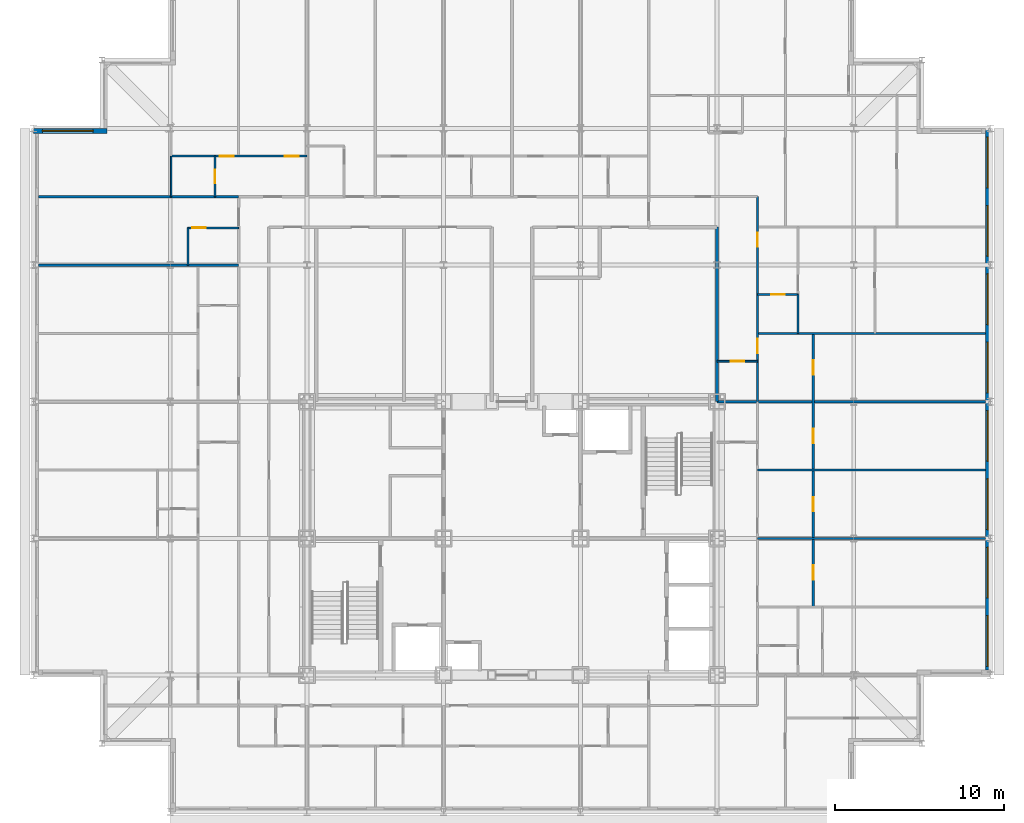
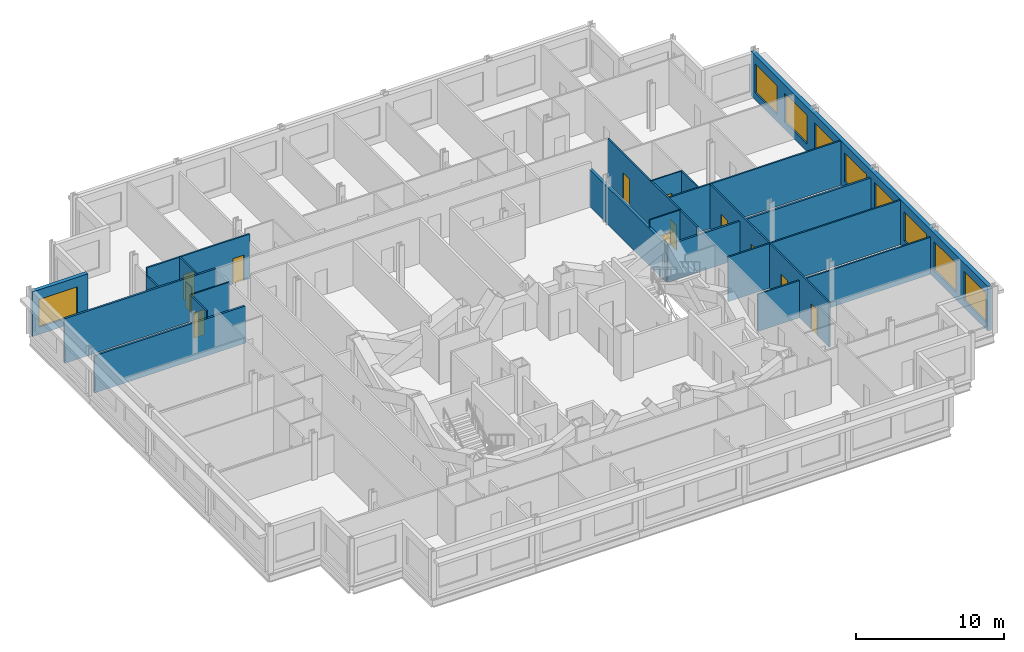
# One storey, part 11 of 15: 19 walls, 12 doors, 9 windows, 21 openings.
"""IFC4 building model written with IfcOpenShell, lengths in metres."""

from ifc_helpers import new_model, si_unit, direction, frame, frame_2d, origin, place, context, subcontext, project, spatial, rectangle, extrude, material, layer, layer_set, type_object, element, fill, save


model = new_model("IFC4")

# Units and contexts
model_context = context("Model", 3, precision=1e-05, world=origin(), true_north=direction((0.0, 1.0)))
body_context = subcontext(model_context, "Body", "Model", "MODEL_VIEW")
ifc_project = project(units=[si_unit("LENGTHUNIT", "METRE"), si_unit("AREAUNIT", "SQUARE_METRE"), si_unit("VOLUMEUNIT", "CUBIC_METRE"), si_unit("PLANEANGLEUNIT", "RADIAN"), si_unit("MASSUNIT", "GRAM", prefix="KILO")], contexts=[model_context])

# Site, building, storey
site_placement = place(None, origin())
site = spatial("IfcSite", under=ifc_project, at=site_placement, CompositionType="ELEMENT")
building_placement = place(site_placement, origin())
building = spatial("IfcBuilding", under=site, at=building_placement, Name="Kopane Lantern Tower", CompositionType="ELEMENT")
storey_placement = place(building_placement, frame((0.0, 0.0, 269.699951171875)))
storey = spatial("IfcBuildingStorey", under=building, at=storey_placement, Name="L69", CompositionType="ELEMENT", Elevation=269.699951171875)

# Wall, openings, doors
ifc_material_1 = material(Name="Gypsum board on steel studs", Category="steel")
ifc_layer_1 = layer(ifc_material_1, 0.1201171875)
ifc_layer_set_1 = layer_set([ifc_layer_1], Name="APARTMENT INTERNAL WALL 120")
wall_type_1 = type_object("IfcWallType", Name="APARTMENT INTERNAL WALL 120", PredefinedType="PARTITIONING", material=ifc_layer_set_1)
wall_1_placement = place(storey_placement, frame((8.14990234375, 55.050048828125, 0.0), z_axis=(0.0, 0.0, 1.0), x_axis=(1.0, 0.0, 0.0)))
wall_1 = element("IfcWall", 1, at=wall_1_placement, inside=storey, type_object=wall_type_1, Name="Apartment Internal Wall 120 L69", PredefinedType="PARTITIONING", context=body_context, shape_type="SweptSolid", body=[
    extrude(rectangle(XDim=8.050048828125, YDim=0.1201171875, at=frame_2d((4.02490234375, 0.0))), origin(), (0.0, 0.0, 1.0), 3.68994140625),
])
opening_1_placement = place(wall_1_placement, frame((6.72509765625, 0.0, 0.0)))
opening_1 = element("IfcOpeningElement", 2, at=opening_1_placement, cuts=wall_1, Name="Opening L69-042", PredefinedType="OPENING", context=body_context, shape_type="SweptSolid", body=[
    extrude(rectangle(XDim=0.85009765625, YDim=2.10009765625, at=frame_2d((0.425048828125, 1.050048828125))), frame((0.0, 0.070068359375, 0.0), z_axis=(0.0, -1.0, 0.0), x_axis=(1.0, 0.0, 0.0)), (0.0, 0.0, 1.0), 0.14013671875),
])
opening_2_placement = place(wall_1_placement, frame((2.875, 0.0, 0.0)))
opening_2 = element("IfcOpeningElement", 3, at=opening_2_placement, cuts=wall_1, Name="Opening L69-044", PredefinedType="OPENING", context=body_context, shape_type="SweptSolid", body=[
    extrude(rectangle(XDim=0.85009765625, YDim=2.10009765625, at=frame_2d((0.425048828125, 1.050048828125))), frame((0.0, 0.070068359375, 0.0), z_axis=(0.0, -1.0, 0.0), x_axis=(1.0, 0.0, 0.0)), (0.0, 0.0, 1.0), 0.14013671875),
])
ifc_material_2 = material(Name="Timber door set", Category="wood")
door_type_1 = type_object("IfcDoorType", Name="DOOR D4 850x2100", OperationType="SINGLE_SWING_LEFT", PredefinedType="DOOR", material=ifc_material_2)
door_1_placement = place(opening_1_placement, origin())
door_1 = element("IfcDoor", 4, at=door_1_placement, inside=storey, type_object=door_type_1, Name="Door L69-042", OperationType="SINGLE_SWING_LEFT", OverallHeight=2.10009765625, OverallWidth=0.85009765625, PredefinedType="DOOR", context=body_context, shape_type="SweptSolid", body=[
    extrude(rectangle(XDim=0.85009765625, YDim=2.10009765625, at=frame_2d((0.425048828125, 1.050048828125))), frame((0.0, 0.02490234375, 0.0), z_axis=(0.0, -1.0, 0.0), x_axis=(1.0, 0.0, 0.0)), (0.0, 0.0, 1.0), 0.050048828125),
])
fill(opening_1, door_1)
door_2_placement = place(opening_2_placement, origin())
door_2 = element("IfcDoor", 5, at=door_2_placement, inside=storey, type_object=door_type_1, Name="Door L69-044", OperationType="SINGLE_SWING_RIGHT", OverallHeight=2.10009765625, OverallWidth=0.85009765625, PredefinedType="DOOR", context=body_context, shape_type="SweptSolid", body=[
    extrude(rectangle(XDim=0.85009765625, YDim=2.10009765625, at=frame_2d((0.425048828125, 1.050048828125))), frame((0.0, 0.02490234375, 0.0), z_axis=(0.0, -1.0, 0.0), x_axis=(1.0, 0.0, 0.0)), (0.0, 0.0, 1.0), 0.050048828125),
])
fill(opening_2, door_2)

# Walls
wall_2_placement = place(storey_placement, frame((42.89990234375, 32.39990234375, 0.0), z_axis=(0.0, 0.0, 1.0), x_axis=(1.0, 0.0, 0.0)))
element("IfcWall", 6, at=wall_2_placement, inside=storey, type_object=wall_type_1, Name="Apartment Internal Wall 120 L69", PredefinedType="PARTITIONING", context=body_context, shape_type="SweptSolid", body=[
    extrude(rectangle(XDim=13.5, YDim=0.1201171875, at=frame_2d((6.75, 0.0))), origin(), (0.0, 0.0, 1.0), 3.077880859375),
])
wall_3_placement = place(storey_placement, frame((42.89990234375, 36.449951171875, 0.0), z_axis=(0.0, 0.0, 1.0), x_axis=(1.0, 0.0, 0.0)))
element("IfcWall", 7, at=wall_3_placement, inside=storey, type_object=wall_type_1, Name="Apartment Internal Wall 120 L69", PredefinedType="PARTITIONING", context=body_context, shape_type="SweptSolid", body=[
    extrude(rectangle(XDim=13.5, YDim=0.1201171875, at=frame_2d((6.75, 0.0))), origin(), (0.0, 0.0, 1.0), 3.68994140625),
])

# Wall, openings, doors
wall_4_placement = place(storey_placement, frame((42.89990234375, 52.64990234375, 0.0), z_axis=(0.0, 0.0, 1.0), x_axis=(0.0, -1.0, 0.0)))
wall_4 = element("IfcWall", 8, at=wall_4_placement, inside=storey, type_object=wall_type_1, Name="Apartment Internal Wall 120 L69", PredefinedType="PARTITIONING", context=body_context, shape_type="SweptSolid", body=[
    extrude(rectangle(XDim=12.14990234375, YDim=0.1201171875, at=frame_2d((6.074951171875, 0.0))), origin(), (0.0, 0.0, 1.0), 3.68994140625),
])
opening_3_placement = place(wall_4_placement, frame((2.125, 0.0, 0.0)))
opening_3 = element("IfcOpeningElement", 9, at=opening_3_placement, cuts=wall_4, Name="Opening L69-061", PredefinedType="OPENING", context=body_context, shape_type="SweptSolid", body=[
    extrude(rectangle(XDim=0.85009765625, YDim=2.10009765625, at=frame_2d((0.425048828125, 1.050048828125))), frame((0.0, 0.070068359375, 0.0), z_axis=(0.0, -1.0, 0.0), x_axis=(1.0, 0.0, 0.0)), (0.0, 0.0, 1.0), 0.14013671875),
])
opening_4_placement = place(wall_4_placement, frame((8.425048828125, 0.0, 0.0)))
opening_4 = element("IfcOpeningElement", 10, at=opening_4_placement, cuts=wall_4, Name="Opening L69-062", PredefinedType="OPENING", context=body_context, shape_type="SweptSolid", body=[
    extrude(rectangle(XDim=0.85009765625, YDim=2.10009765625, at=frame_2d((0.425048828125, 1.050048828125))), frame((0.0, 0.070068359375, 0.0), z_axis=(0.0, -1.0, 0.0), x_axis=(1.0, 0.0, 0.0)), (0.0, 0.0, 1.0), 0.14013671875),
])
door_3_placement = place(opening_3_placement, origin())
door_3 = element("IfcDoor", 11, at=door_3_placement, inside=storey, type_object=door_type_1, Name="Door L69-061", OperationType="SINGLE_SWING_LEFT", OverallHeight=2.10009765625, OverallWidth=0.85009765625, PredefinedType="DOOR", context=body_context, shape_type="SweptSolid", body=[
    extrude(rectangle(XDim=0.85009765625, YDim=2.10009765625, at=frame_2d((0.425048828125, 1.050048828125))), frame((0.0, 0.02490234375, 0.0), z_axis=(0.0, -1.0, 0.0), x_axis=(1.0, 0.0, 0.0)), (0.0, 0.0, 1.0), 0.050048828125),
])
fill(opening_3, door_3)
door_4_placement = place(opening_4_placement, origin())
door_4 = element("IfcDoor", 12, at=door_4_placement, inside=storey, type_object=door_type_1, Name="Door L69-062", OperationType="SINGLE_SWING_LEFT", OverallHeight=2.10009765625, OverallWidth=0.85009765625, PredefinedType="DOOR", context=body_context, shape_type="SweptSolid", body=[
    extrude(rectangle(XDim=0.85009765625, YDim=2.10009765625, at=frame_2d((0.425048828125, 1.050048828125))), frame((0.0, 0.02490234375, 0.0), z_axis=(0.0, -1.0, 0.0), x_axis=(1.0, 0.0, 0.0)), (0.0, 0.0, 1.0), 0.050048828125),
])
fill(opening_4, door_4)

# Wall
wall_5_placement = place(storey_placement, frame((42.89990234375, 44.550048828125, 0.0), z_axis=(0.0, 0.0, 1.0), x_axis=(1.0, 0.0, 0.0)))
element("IfcWall", 13, at=wall_5_placement, inside=storey, type_object=wall_type_1, Name="Apartment Internal Wall 120 L69", PredefinedType="PARTITIONING", context=body_context, shape_type="SweptSolid", body=[
    extrude(rectangle(XDim=13.5, YDim=0.1201171875, at=frame_2d((6.75, 0.0))), origin(), (0.0, 0.0, 1.0), 3.68994140625),
])

# Wall, openings, doors
wall_6_placement = place(storey_placement, frame((46.199951171875, 28.35009765625, 0.0), z_axis=(0.0, 0.0, 1.0), x_axis=(0.0, 1.0, 0.0)))
wall_6 = element("IfcWall", 14, at=wall_6_placement, inside=storey, type_object=wall_type_1, Name="Apartment Internal Wall 120 L69", PredefinedType="PARTITIONING", context=body_context, shape_type="SweptSolid", body=[
    extrude(rectangle(XDim=16.199951171875, YDim=0.1201171875, at=frame_2d((8.10009765625, 0.0))), origin(), (0.0, 0.0, 1.0), 3.68994140625),
])
opening_5_placement = place(wall_6_placement, frame((1.60009765625, 0.0, 0.0)))
opening_5 = element("IfcOpeningElement", 15, at=opening_5_placement, cuts=wall_6, Name="Opening L69-069", PredefinedType="OPENING", context=body_context, shape_type="SweptSolid", body=[
    extrude(rectangle(XDim=0.85009765625, YDim=2.10009765625, at=frame_2d((0.425048828125, 1.050048828125))), frame((0.0, 0.070068359375, 0.0), z_axis=(0.0, -1.0, 0.0), x_axis=(1.0, 0.0, 0.0)), (0.0, 0.0, 1.0), 0.14013671875),
])
opening_6_placement = place(wall_6_placement, frame((5.64990234375, 0.0, 0.0)))
opening_6 = element("IfcOpeningElement", 16, at=opening_6_placement, cuts=wall_6, Name="Opening L69-070", PredefinedType="OPENING", context=body_context, shape_type="SweptSolid", body=[
    extrude(rectangle(XDim=0.85009765625, YDim=2.10009765625, at=frame_2d((0.425048828125, 1.050048828125))), frame((0.0, 0.070068359375, 0.0), z_axis=(0.0, -1.0, 0.0), x_axis=(1.0, 0.0, 0.0)), (0.0, 0.0, 1.0), 0.14013671875),
])
opening_7_placement = place(wall_6_placement, frame((9.699951171875, 0.0, 0.0)))
opening_7 = element("IfcOpeningElement", 17, at=opening_7_placement, cuts=wall_6, Name="Opening L69-071", PredefinedType="OPENING", context=body_context, shape_type="SweptSolid", body=[
    extrude(rectangle(XDim=0.85009765625, YDim=2.10009765625, at=frame_2d((0.425048828125, 1.050048828125))), frame((0.0, 0.070068359375, 0.0), z_axis=(0.0, -1.0, 0.0), x_axis=(1.0, 0.0, 0.0)), (0.0, 0.0, 1.0), 0.14013671875),
])
opening_8_placement = place(wall_6_placement, frame((13.75, 0.0, 0.0)))
opening_8 = element("IfcOpeningElement", 18, at=opening_8_placement, cuts=wall_6, Name="Opening L69-074", PredefinedType="OPENING", context=body_context, shape_type="SweptSolid", body=[
    extrude(rectangle(XDim=0.85009765625, YDim=2.10009765625, at=frame_2d((0.425048828125, 1.050048828125))), frame((0.0, 0.070068359375, 0.0), z_axis=(0.0, -1.0, 0.0), x_axis=(1.0, 0.0, 0.0)), (0.0, 0.0, 1.0), 0.14013671875),
])
door_5_placement = place(opening_5_placement, origin())
door_5 = element("IfcDoor", 19, at=door_5_placement, inside=storey, type_object=door_type_1, Name="Door L69-069", OperationType="SINGLE_SWING_LEFT", OverallHeight=2.10009765625, OverallWidth=0.85009765625, PredefinedType="DOOR", context=body_context, shape_type="SweptSolid", body=[
    extrude(rectangle(XDim=0.85009765625, YDim=2.10009765625, at=frame_2d((0.425048828125, 1.050048828125))), frame((0.0, 0.02490234375, 0.0), z_axis=(0.0, -1.0, 0.0), x_axis=(1.0, 0.0, 0.0)), (0.0, 0.0, 1.0), 0.050048828125),
])
fill(opening_5, door_5)
door_6_placement = place(opening_6_placement, origin())
door_6 = element("IfcDoor", 20, at=door_6_placement, inside=storey, type_object=door_type_1, Name="Door L69-070", OperationType="SINGLE_SWING_RIGHT", OverallHeight=2.10009765625, OverallWidth=0.85009765625, PredefinedType="DOOR", context=body_context, shape_type="SweptSolid", body=[
    extrude(rectangle(XDim=0.85009765625, YDim=2.10009765625, at=frame_2d((0.425048828125, 1.050048828125))), frame((0.0, 0.02490234375, 0.0), z_axis=(0.0, -1.0, 0.0), x_axis=(1.0, 0.0, 0.0)), (0.0, 0.0, 1.0), 0.050048828125),
])
fill(opening_6, door_6)
door_7_placement = place(opening_7_placement, origin())
door_7 = element("IfcDoor", 21, at=door_7_placement, inside=storey, type_object=door_type_1, Name="Door L69-071", OperationType="SINGLE_SWING_LEFT", OverallHeight=2.10009765625, OverallWidth=0.85009765625, PredefinedType="DOOR", context=body_context, shape_type="SweptSolid", body=[
    extrude(rectangle(XDim=0.85009765625, YDim=2.10009765625, at=frame_2d((0.425048828125, 1.050048828125))), frame((0.0, 0.02490234375, 0.0), z_axis=(0.0, -1.0, 0.0), x_axis=(1.0, 0.0, 0.0)), (0.0, 0.0, 1.0), 0.050048828125),
])
fill(opening_7, door_7)
door_8_placement = place(opening_8_placement, origin())
door_8 = element("IfcDoor", 22, at=door_8_placement, inside=storey, type_object=door_type_1, Name="Door L69-074", OperationType="SINGLE_SWING_RIGHT", OverallHeight=2.10009765625, OverallWidth=0.85009765625, PredefinedType="DOOR", context=body_context, shape_type="SweptSolid", body=[
    extrude(rectangle(XDim=0.85009765625, YDim=2.10009765625, at=frame_2d((0.425048828125, 1.050048828125))), frame((0.0, 0.02490234375, 0.0), z_axis=(0.0, -1.0, 0.0), x_axis=(1.0, 0.0, 0.0)), (0.0, 0.0, 1.0), 0.050048828125),
])
fill(opening_8, door_8)

# Wall
ifc_material_3 = material(Name="Moisture-resistant board on steel studs", Category="steel")
ifc_layer_2 = layer(ifc_material_3, 0.10009765625)
ifc_layer_set_2 = layer_set([ifc_layer_2], Name="BATHROOM WALL 100")
wall_type_2 = type_object("IfcWallType", Name="BATHROOM WALL 100", PredefinedType="PARTITIONING", material=ifc_layer_set_2)
wall_7_placement = place(storey_placement, frame((9.14990234375, 48.60009765625, 0.0), z_axis=(0.0, 0.0, 1.0), x_axis=(0.0, 1.0, 0.0)))
element("IfcWall", 23, at=wall_7_placement, inside=storey, type_object=wall_type_2, Name="Bathroom Wall 100 L69", PredefinedType="PARTITIONING", context=body_context, shape_type="SweptSolid", body=[
    extrude(rectangle(XDim=2.199951171875, YDim=0.10009765625, at=frame_2d((1.10009765625, 0.0))), origin(), (0.0, 0.0, 1.0), 3.68994140625),
])

# Wall, opening, door
wall_8_placement = place(storey_placement, frame((12.14990234375, 50.800048828125, 0.0), z_axis=(0.0, 0.0, 1.0), x_axis=(-1.0, 0.0, 0.0)))
wall_8 = element("IfcWall", 24, at=wall_8_placement, inside=storey, type_object=wall_type_2, Name="Bathroom Wall 100 L69", PredefinedType="PARTITIONING", context=body_context, shape_type="SweptSolid", body=[
    extrude(rectangle(XDim=3.0, YDim=0.10009765625, at=frame_2d((1.5, 0.0))), origin(), (0.0, 0.0, 1.0), 3.68994140625),
])
opening_9_placement = place(wall_8_placement, frame((1.949951171875, 0.0, 0.0)))
opening_9 = element("IfcOpeningElement", 25, at=opening_9_placement, cuts=wall_8, Name="Opening L69-036", PredefinedType="OPENING", context=body_context, shape_type="SweptSolid", body=[
    extrude(rectangle(XDim=0.800048828125, YDim=2.10009765625, at=frame_2d((0.39990234375, 1.050048828125))), frame((0.0, 0.06005859375, 0.0), z_axis=(0.0, -1.0, 0.0), x_axis=(1.0, 0.0, 0.0)), (0.0, 0.0, 1.0), 0.1201171875),
])
ifc_material_4 = material(Name="Timber door set", Category="wood")
door_type_2 = type_object("IfcDoorType", Name="DOOR D2 800x2100", OperationType="SINGLE_SWING_LEFT", PredefinedType="DOOR", material=ifc_material_4)
door_9_placement = place(opening_9_placement, origin())
door_9 = element("IfcDoor", 26, at=door_9_placement, inside=storey, type_object=door_type_2, Name="Door L69-036", OperationType="SINGLE_SWING_RIGHT", OverallHeight=2.10009765625, OverallWidth=0.800048828125, PredefinedType="DOOR", context=body_context, shape_type="SweptSolid", body=[
    extrude(rectangle(XDim=0.800048828125, YDim=2.10009765625, at=frame_2d((0.39990234375, 1.050048828125))), frame((0.0, 0.02490234375, 0.0), z_axis=(0.0, -1.0, 0.0), x_axis=(1.0, 0.0, 0.0)), (0.0, 0.0, 1.0), 0.050048828125),
])
fill(opening_9, door_9)

wall_9_placement = place(storey_placement, frame((10.75, 52.64990234375, 0.0), z_axis=(0.0, 0.0, 1.0), x_axis=(0.0, 1.0, 0.0)))
wall_9 = element("IfcWall", 27, at=wall_9_placement, inside=storey, type_object=wall_type_2, Name="Bathroom Wall 100 L69", PredefinedType="PARTITIONING", context=body_context, shape_type="SweptSolid", body=[
    extrude(rectangle(XDim=2.400146484375, YDim=0.10009765625, at=frame_2d((1.2001953125, 0.0))), origin(), (0.0, 0.0, 1.0), 3.68994140625),
])
opening_10_placement = place(wall_9_placement, frame((0.800048828125, 0.0, 0.0)))
opening_10 = element("IfcOpeningElement", 28, at=opening_10_placement, cuts=wall_9, Name="Opening L69-043", PredefinedType="OPENING", context=body_context, shape_type="SweptSolid", body=[
    extrude(rectangle(XDim=0.800048828125, YDim=2.10009765625, at=frame_2d((0.39990234375, 1.050048828125))), frame((0.0, 0.06005859375, 0.0), z_axis=(0.0, -1.0, 0.0), x_axis=(1.0, 0.0, 0.0)), (0.0, 0.0, 1.0), 0.1201171875),
])
door_10_placement = place(opening_10_placement, origin())
door_10 = element("IfcDoor", 29, at=door_10_placement, inside=storey, type_object=door_type_2, Name="Door L69-043", OperationType="SINGLE_SWING_LEFT", OverallHeight=2.10009765625, OverallWidth=0.800048828125, PredefinedType="DOOR", context=body_context, shape_type="SweptSolid", body=[
    extrude(rectangle(XDim=0.800048828125, YDim=2.10009765625, at=frame_2d((0.39990234375, 1.050048828125))), frame((0.0, 0.02490234375, 0.0), z_axis=(0.0, -1.0, 0.0), x_axis=(1.0, 0.0, 0.0)), (0.0, 0.0, 1.0), 0.050048828125),
])
fill(opening_10, door_10)

# Wall
wall_10_placement = place(storey_placement, frame((8.14990234375, 52.64990234375, 0.0), z_axis=(0.0, 0.0, 1.0), x_axis=(0.0, 1.0, 0.0)))
element("IfcWall", 30, at=wall_10_placement, inside=storey, type_object=wall_type_2, Name="Bathroom Wall 100 L69", PredefinedType="PARTITIONING", context=body_context, shape_type="SweptSolid", body=[
    extrude(rectangle(XDim=2.400146484375, YDim=0.10009765625, at=frame_2d((1.2001953125, 0.0))), origin(), (0.0, 0.0, 1.0), 3.077880859375),
])

# Wall, opening, door
wall_11_placement = place(storey_placement, frame((40.5, 42.89990234375, 0.0), z_axis=(0.0, 0.0, 1.0), x_axis=(1.0, 0.0, 0.0)))
wall_11 = element("IfcWall", 31, at=wall_11_placement, inside=storey, type_object=wall_type_2, Name="Bathroom Wall 100 L69", PredefinedType="PARTITIONING", context=body_context, shape_type="SweptSolid", body=[
    extrude(rectangle(XDim=2.39990234375, YDim=0.10009765625, at=frame_2d((1.199951171875, 0.0))), origin(), (0.0, 0.0, 1.0), 3.68994140625),
])
opening_11_placement = place(wall_11_placement, frame((0.800048828125, 0.0, 0.0)))
opening_11 = element("IfcOpeningElement", 32, at=opening_11_placement, cuts=wall_11, Name="Opening L69-055", PredefinedType="OPENING", context=body_context, shape_type="SweptSolid", body=[
    extrude(rectangle(XDim=0.800048828125, YDim=2.10009765625, at=frame_2d((0.39990234375, 1.050048828125))), frame((0.0, 0.06005859375, 0.0), z_axis=(0.0, -1.0, 0.0), x_axis=(1.0, 0.0, 0.0)), (0.0, 0.0, 1.0), 0.1201171875),
])
door_11_placement = place(opening_11_placement, origin())
door_11 = element("IfcDoor", 33, at=door_11_placement, inside=storey, type_object=door_type_2, Name="Door L69-055", OperationType="SINGLE_SWING_RIGHT", OverallHeight=2.10009765625, OverallWidth=0.800048828125, PredefinedType="DOOR", context=body_context, shape_type="SweptSolid", body=[
    extrude(rectangle(XDim=0.800048828125, YDim=2.10009765625, at=frame_2d((0.39990234375, 1.050048828125))), frame((0.0, 0.02490234375, 0.0), z_axis=(0.0, -1.0, 0.0), x_axis=(1.0, 0.0, 0.0)), (0.0, 0.0, 1.0), 0.050048828125),
])
fill(opening_11, door_11)

wall_12_placement = place(storey_placement, frame((42.89990234375, 46.85009765625, 0.0), z_axis=(0.0, 0.0, 1.0), x_axis=(1.0, 0.0, 0.0)))
wall_12 = element("IfcWall", 34, at=wall_12_placement, inside=storey, type_object=wall_type_2, Name="Bathroom Wall 100 L69", PredefinedType="PARTITIONING", context=body_context, shape_type="SweptSolid", body=[
    extrude(rectangle(XDim=2.400146484375, YDim=0.10009765625, at=frame_2d((1.2001953125, 0.0))), origin(), (0.0, 0.0, 1.0), 3.68994140625),
])
opening_12_placement = place(wall_12_placement, frame((0.800048828125, 0.0, 0.0)))
opening_12 = element("IfcOpeningElement", 35, at=opening_12_placement, cuts=wall_12, Name="Opening L69-060", PredefinedType="OPENING", context=body_context, shape_type="SweptSolid", body=[
    extrude(rectangle(XDim=0.800048828125, YDim=2.10009765625, at=frame_2d((0.39990234375, 1.050048828125))), frame((0.0, 0.06005859375, 0.0), z_axis=(0.0, -1.0, 0.0), x_axis=(1.0, 0.0, 0.0)), (0.0, 0.0, 1.0), 0.1201171875),
])
door_12_placement = place(opening_12_placement, origin())
door_12 = element("IfcDoor", 36, at=door_12_placement, inside=storey, type_object=door_type_2, Name="Door L69-060", OperationType="SINGLE_SWING_LEFT", OverallHeight=2.10009765625, OverallWidth=0.800048828125, PredefinedType="DOOR", context=body_context, shape_type="SweptSolid", body=[
    extrude(rectangle(XDim=0.800048828125, YDim=2.10009765625, at=frame_2d((0.39990234375, 1.050048828125))), frame((0.0, 0.02490234375, 0.0), z_axis=(0.0, -1.0, 0.0), x_axis=(1.0, 0.0, 0.0)), (0.0, 0.0, 1.0), 0.050048828125),
])
fill(opening_12, door_12)

# Walls
wall_13_placement = place(storey_placement, frame((45.300048828125, 46.85009765625, 0.0), z_axis=(0.0, 0.0, 1.0), x_axis=(0.0, -1.0, 0.0)))
element("IfcWall", 37, at=wall_13_placement, inside=storey, type_object=wall_type_2, Name="Bathroom Wall 100 L69", PredefinedType="PARTITIONING", context=body_context, shape_type="SweptSolid", body=[
    extrude(rectangle(XDim=2.300048828125, YDim=0.10009765625, at=frame_2d((1.14990234375, 0.0))), origin(), (0.0, 0.0, 1.0), 3.68994140625),
])
ifc_material_5 = material(Name="Gypsum board on steel studs", Category="steel")
ifc_layer_3 = layer(ifc_material_5, 0.14990234375)
ifc_layer_set_3 = layer_set([ifc_layer_3], Name="DEMISING WALL 150 EI 60")
wall_type_3 = type_object("IfcWallType", Name="DEMISING WALL 150 EI 60", PredefinedType="PARTITIONING", material=ifc_layer_set_3)
wall_14_placement = place(storey_placement, frame((12.14990234375, 48.60009765625, 0.0), z_axis=(0.0, 0.0, 1.0), x_axis=(-1.0, 0.0, 0.0)))
element("IfcWall", 38, at=wall_14_placement, inside=storey, type_object=wall_type_3, Name="Demising Wall 150 Ei 60 L69", PredefinedType="PARTITIONING", context=body_context, shape_type="SweptSolid", body=[
    extrude(rectangle(XDim=11.849853515625, YDim=0.14990234375, at=frame_2d((5.9248046875, 0.0))), origin(), (0.0, 0.0, 1.0), 3.077880859375),
])
wall_15_placement = place(storey_placement, frame((0.300048828125, 52.64990234375, 0.0), z_axis=(0.0, 0.0, 1.0), x_axis=(1.0, 0.0, 0.0)))
element("IfcWall", 39, at=wall_15_placement, inside=storey, type_object=wall_type_3, Name="Demising Wall 150 Ei 60 L69", PredefinedType="PARTITIONING", context=body_context, shape_type="SweptSolid", body=[
    extrude(rectangle(XDim=11.849853515625, YDim=0.14990234375, at=frame_2d((5.9248046875, 0.0))), origin(), (0.0, 0.0, 1.0), 3.68994140625),
])
wall_16_placement = place(storey_placement, frame((40.5, 40.5, 0.0), z_axis=(0.0, 0.0, 1.0), x_axis=(1.0, 0.0, 0.0)))
element("IfcWall", 40, at=wall_16_placement, inside=storey, type_object=wall_type_3, Name="Demising Wall 150 Ei 60 L69", PredefinedType="PARTITIONING", context=body_context, shape_type="SweptSolid", body=[
    extrude(rectangle(XDim=15.89990234375, YDim=0.14990234375, at=frame_2d((7.949951171875, 0.0))), origin(), (0.0, 0.0, 1.0), 3.077880859375),
])

# Wall, openings, windows
ifc_material_6 = material(Name="Terracotta rainscreen on light steel framing", Category="masonry")
ifc_layer_4 = layer(ifc_material_6, 0.300048828125)
ifc_layer_set_4 = layer_set([ifc_layer_4], Name="EXTERNAL WALL EW1 300 TERRACOTTA")
wall_type_4 = type_object("IfcWallType", Name="EXTERNAL WALL EW1 300 TERRACOTTA", PredefinedType="SOLIDWALL", material=ifc_layer_set_4)
wall_17_placement = place(storey_placement, frame((56.550048828125, 24.60009765625, 0.0), z_axis=(0.0, 0.0, 1.0), x_axis=(0.0, 1.0, 0.0)))
wall_17 = element("IfcWall", 41, at=wall_17_placement, inside=storey, type_object=wall_type_4, Name="External wall E L69", PredefinedType="SOLIDWALL", context=body_context, shape_type="SweptSolid", body=[
    extrude(rectangle(XDim=32.099853515625, YDim=0.300048828125, at=frame_2d((16.0498046875, 0.0))), origin(), (0.0, 0.0, 1.0), 3.68994140625),
])
opening_13_placement = place(wall_17_placement, frame((0.22509765625, 0.0, 0.60009765625)))
opening_13 = element("IfcOpeningElement", 42, at=opening_13_placement, cuts=wall_17, Name="Opening WR300240", PredefinedType="OPENING", context=body_context, shape_type="SweptSolid", body=[
    extrude(rectangle(XDim=3.0, YDim=2.39990234375, at=frame_2d((1.5, 1.199951171875))), frame((0.0, 0.159912109375, 0.0), z_axis=(0.0, -1.0, 0.0), x_axis=(1.0, 0.0, 0.0)), (0.0, 0.0, 1.0), 0.320068359375),
])
opening_14_placement = place(wall_17_placement, frame((4.27490234375, 0.0, 0.60009765625)))
opening_14 = element("IfcOpeningElement", 43, at=opening_14_placement, cuts=wall_17, Name="Opening WR300240", PredefinedType="OPENING", context=body_context, shape_type="SweptSolid", body=[
    extrude(rectangle(XDim=3.0, YDim=2.39990234375, at=frame_2d((1.5, 1.199951171875))), frame((0.0, 0.159912109375, 0.0), z_axis=(0.0, -1.0, 0.0), x_axis=(1.0, 0.0, 0.0)), (0.0, 0.0, 1.0), 0.320068359375),
])
opening_15_placement = place(wall_17_placement, frame((8.324951171875, 0.0, 0.60009765625)))
opening_15 = element("IfcOpeningElement", 44, at=opening_15_placement, cuts=wall_17, Name="Opening WR300240", PredefinedType="OPENING", context=body_context, shape_type="SweptSolid", body=[
    extrude(rectangle(XDim=3.0, YDim=2.39990234375, at=frame_2d((1.5, 1.199951171875))), frame((0.0, 0.159912109375, 0.0), z_axis=(0.0, -1.0, 0.0), x_axis=(1.0, 0.0, 0.0)), (0.0, 0.0, 1.0), 0.320068359375),
])
opening_16_placement = place(wall_17_placement, frame((12.375, 0.0, 0.60009765625)))
opening_16 = element("IfcOpeningElement", 45, at=opening_16_placement, cuts=wall_17, Name="Opening WR300240", PredefinedType="OPENING", context=body_context, shape_type="SweptSolid", body=[
    extrude(rectangle(XDim=3.0, YDim=2.39990234375, at=frame_2d((1.5, 1.199951171875))), frame((0.0, 0.159912109375, 0.0), z_axis=(0.0, -1.0, 0.0), x_axis=(1.0, 0.0, 0.0)), (0.0, 0.0, 1.0), 0.320068359375),
])
opening_17_placement = place(wall_17_placement, frame((16.425048828125, 0.0, 0.60009765625)))
opening_17 = element("IfcOpeningElement", 46, at=opening_17_placement, cuts=wall_17, Name="Opening WR300240", PredefinedType="OPENING", context=body_context, shape_type="SweptSolid", body=[
    extrude(rectangle(XDim=3.0, YDim=2.39990234375, at=frame_2d((1.5, 1.199951171875))), frame((0.0, 0.159912109375, 0.0), z_axis=(0.0, -1.0, 0.0), x_axis=(1.0, 0.0, 0.0)), (0.0, 0.0, 1.0), 0.320068359375),
])
opening_18_placement = place(wall_17_placement, frame((20.47509765625, 0.0, 0.60009765625)))
opening_18 = element("IfcOpeningElement", 47, at=opening_18_placement, cuts=wall_17, Name="Opening WR300240", PredefinedType="OPENING", context=body_context, shape_type="SweptSolid", body=[
    extrude(rectangle(XDim=3.0, YDim=2.39990234375, at=frame_2d((1.5, 1.199951171875))), frame((0.0, 0.159912109375, 0.0), z_axis=(0.0, -1.0, 0.0), x_axis=(1.0, 0.0, 0.0)), (0.0, 0.0, 1.0), 0.320068359375),
])
opening_19_placement = place(wall_17_placement, frame((24.52490234375, 0.0, 0.60009765625)))
opening_19 = element("IfcOpeningElement", 48, at=opening_19_placement, cuts=wall_17, Name="Opening WR300240", PredefinedType="OPENING", context=body_context, shape_type="SweptSolid", body=[
    extrude(rectangle(XDim=3.0, YDim=2.39990234375, at=frame_2d((1.5, 1.199951171875))), frame((0.0, 0.159912109375, 0.0), z_axis=(0.0, -1.0, 0.0), x_axis=(1.0, 0.0, 0.0)), (0.0, 0.0, 1.0), 0.320068359375),
])
opening_20_placement = place(wall_17_placement, frame((28.574951171875, 0.0, 0.60009765625)))
opening_20 = element("IfcOpeningElement", 49, at=opening_20_placement, cuts=wall_17, Name="Opening WR300240", PredefinedType="OPENING", context=body_context, shape_type="SweptSolid", body=[
    extrude(rectangle(XDim=3.0, YDim=2.39990234375, at=frame_2d((1.5, 1.199951171875))), frame((0.0, 0.159912109375, 0.0), z_axis=(0.0, -1.0, 0.0), x_axis=(1.0, 0.0, 0.0)), (0.0, 0.0, 1.0), 0.320068359375),
])
ifc_material_7 = material(Name="Aluminium and clear glass", Category="aluminium")
window_type_1 = type_object("IfcWindowType", Name="RIBBON WINDOW WR300240 3000x2400", PartitioningType="SINGLE_PANEL", PredefinedType="WINDOW", material=ifc_material_7)
window_1_placement = place(opening_13_placement, origin())
window_1 = element("IfcWindow", 50, at=window_1_placement, inside=storey, type_object=window_type_1, Name="Window E L69", OverallHeight=2.39990234375, OverallWidth=3.0, PartitioningType="SINGLE_PANEL", PredefinedType="WINDOW", context=body_context, shape_type="SweptSolid", body=[
    extrude(rectangle(XDim=3.0, YDim=2.39990234375, at=frame_2d((1.5, 1.199951171875))), frame((0.0, 0.030029296875, 0.0), z_axis=(0.0, -1.0, 0.0), x_axis=(1.0, 0.0, 0.0)), (0.0, 0.0, 1.0), 0.06005859375),
])
fill(opening_13, window_1)
window_2_placement = place(opening_14_placement, origin())
window_2 = element("IfcWindow", 51, at=window_2_placement, inside=storey, type_object=window_type_1, Name="Window E L69", OverallHeight=2.39990234375, OverallWidth=3.0, PartitioningType="SINGLE_PANEL", PredefinedType="WINDOW", context=body_context, shape_type="SweptSolid", body=[
    extrude(rectangle(XDim=3.0, YDim=2.39990234375, at=frame_2d((1.5, 1.199951171875))), frame((0.0, 0.030029296875, 0.0), z_axis=(0.0, -1.0, 0.0), x_axis=(1.0, 0.0, 0.0)), (0.0, 0.0, 1.0), 0.06005859375),
])
fill(opening_14, window_2)
window_3_placement = place(opening_15_placement, origin())
window_3 = element("IfcWindow", 52, at=window_3_placement, inside=storey, type_object=window_type_1, Name="Window E L69", OverallHeight=2.39990234375, OverallWidth=3.0, PartitioningType="SINGLE_PANEL", PredefinedType="WINDOW", context=body_context, shape_type="SweptSolid", body=[
    extrude(rectangle(XDim=3.0, YDim=2.39990234375, at=frame_2d((1.5, 1.199951171875))), frame((0.0, 0.030029296875, 0.0), z_axis=(0.0, -1.0, 0.0), x_axis=(1.0, 0.0, 0.0)), (0.0, 0.0, 1.0), 0.06005859375),
])
fill(opening_15, window_3)
window_4_placement = place(opening_16_placement, origin())
window_4 = element("IfcWindow", 53, at=window_4_placement, inside=storey, type_object=window_type_1, Name="Window E L69", OverallHeight=2.39990234375, OverallWidth=3.0, PartitioningType="SINGLE_PANEL", PredefinedType="WINDOW", context=body_context, shape_type="SweptSolid", body=[
    extrude(rectangle(XDim=3.0, YDim=2.39990234375, at=frame_2d((1.5, 1.199951171875))), frame((0.0, 0.030029296875, 0.0), z_axis=(0.0, -1.0, 0.0), x_axis=(1.0, 0.0, 0.0)), (0.0, 0.0, 1.0), 0.06005859375),
])
fill(opening_16, window_4)
window_5_placement = place(opening_17_placement, origin())
window_5 = element("IfcWindow", 54, at=window_5_placement, inside=storey, type_object=window_type_1, Name="Window E L69", OverallHeight=2.39990234375, OverallWidth=3.0, PartitioningType="SINGLE_PANEL", PredefinedType="WINDOW", context=body_context, shape_type="SweptSolid", body=[
    extrude(rectangle(XDim=3.0, YDim=2.39990234375, at=frame_2d((1.5, 1.199951171875))), frame((0.0, 0.030029296875, 0.0), z_axis=(0.0, -1.0, 0.0), x_axis=(1.0, 0.0, 0.0)), (0.0, 0.0, 1.0), 0.06005859375),
])
fill(opening_17, window_5)
window_6_placement = place(opening_18_placement, origin())
window_6 = element("IfcWindow", 55, at=window_6_placement, inside=storey, type_object=window_type_1, Name="Window E L69", OverallHeight=2.39990234375, OverallWidth=3.0, PartitioningType="SINGLE_PANEL", PredefinedType="WINDOW", context=body_context, shape_type="SweptSolid", body=[
    extrude(rectangle(XDim=3.0, YDim=2.39990234375, at=frame_2d((1.5, 1.199951171875))), frame((0.0, 0.030029296875, 0.0), z_axis=(0.0, -1.0, 0.0), x_axis=(1.0, 0.0, 0.0)), (0.0, 0.0, 1.0), 0.06005859375),
])
fill(opening_18, window_6)
window_7_placement = place(opening_19_placement, origin())
window_7 = element("IfcWindow", 56, at=window_7_placement, inside=storey, type_object=window_type_1, Name="Window E L69", OverallHeight=2.39990234375, OverallWidth=3.0, PartitioningType="SINGLE_PANEL", PredefinedType="WINDOW", context=body_context, shape_type="SweptSolid", body=[
    extrude(rectangle(XDim=3.0, YDim=2.39990234375, at=frame_2d((1.5, 1.199951171875))), frame((0.0, 0.030029296875, 0.0), z_axis=(0.0, -1.0, 0.0), x_axis=(1.0, 0.0, 0.0)), (0.0, 0.0, 1.0), 0.06005859375),
])
fill(opening_19, window_7)
window_8_placement = place(opening_20_placement, origin())
window_8 = element("IfcWindow", 57, at=window_8_placement, inside=storey, type_object=window_type_1, Name="Window E L69", OverallHeight=2.39990234375, OverallWidth=3.0, PartitioningType="SINGLE_PANEL", PredefinedType="WINDOW", context=body_context, shape_type="SweptSolid", body=[
    extrude(rectangle(XDim=3.0, YDim=2.39990234375, at=frame_2d((1.5, 1.199951171875))), frame((0.0, 0.030029296875, 0.0), z_axis=(0.0, -1.0, 0.0), x_axis=(1.0, 0.0, 0.0)), (0.0, 0.0, 1.0), 0.06005859375),
])
fill(opening_20, window_8)

# Wall, opening, window
wall_18_placement = place(storey_placement, frame((4.35009765625, 56.550048828125, 0.0), z_axis=(0.0, 0.0, 1.0), x_axis=(-1.0, 0.0, 0.0)))
wall_18 = element("IfcWall", 58, at=wall_18_placement, inside=storey, type_object=wall_type_4, Name="External wall N L69", PredefinedType="SOLIDWALL", context=body_context, shape_type="SweptSolid", body=[
    extrude(rectangle(XDim=4.35009765625, YDim=0.300048828125, at=frame_2d((2.175048828125, 0.0))), origin(), (0.0, 0.0, 1.0), 3.68994140625),
])
opening_21_placement = place(wall_18_placement, frame((0.824951171875, 0.0, 0.60009765625)))
opening_21 = element("IfcOpeningElement", 59, at=opening_21_placement, cuts=wall_18, Name="Opening WR300230", PredefinedType="OPENING", context=body_context, shape_type="SweptSolid", body=[
    extrude(rectangle(XDim=3.0, YDim=2.300048828125, at=frame_2d((1.5, 1.14990234375))), frame((0.0, 0.159912109375, 0.0), z_axis=(0.0, -1.0, 0.0), x_axis=(1.0, 0.0, 0.0)), (0.0, 0.0, 1.0), 0.320068359375),
])
ifc_material_8 = material(Name="Aluminium and clear glass", Category="aluminium")
window_type_2 = type_object("IfcWindowType", Name="RIBBON WINDOW WR300230 3000x2300", PartitioningType="SINGLE_PANEL", PredefinedType="WINDOW", material=ifc_material_8)
window_9_placement = place(opening_21_placement, origin())
window_9 = element("IfcWindow", 60, at=window_9_placement, inside=storey, type_object=window_type_2, Name="Window N L69", OverallHeight=2.300048828125, OverallWidth=3.0, PartitioningType="SINGLE_PANEL", PredefinedType="WINDOW", context=body_context, shape_type="SweptSolid", body=[
    extrude(rectangle(XDim=3.0, YDim=2.300048828125, at=frame_2d((1.5, 1.14990234375))), frame((0.0, 0.030029296875, 0.0), z_axis=(0.0, -1.0, 0.0), x_axis=(1.0, 0.0, 0.0)), (0.0, 0.0, 1.0), 0.06005859375),
])
fill(opening_21, window_9)

# Wall
ifc_material_9 = material(Name="Concrete masonry", Category="masonry")
ifc_layer_5 = layer(ifc_material_9, 0.199951171875)
ifc_layer_set_5 = layer_set([ifc_layer_5], Name="PLANT ROOM WALL 200 EI 120")
wall_type_5 = type_object("IfcWallType", Name="PLANT ROOM WALL 200 EI 120", PredefinedType="SOLIDWALL", material=ifc_layer_set_5)
wall_19_placement = place(storey_placement, frame((40.5, 40.5, 0.0), z_axis=(0.0, 0.0, 1.0), x_axis=(0.0, 1.0, 0.0)))
element("IfcWall", 61, at=wall_19_placement, inside=storey, type_object=wall_type_5, Name="Plant Room Wall 200 Ei 120 L69", PredefinedType="SOLIDWALL", context=body_context, shape_type="SweptSolid", body=[
    extrude(rectangle(XDim=10.35009765625, YDim=0.199951171875, at=frame_2d((5.175048828125, 0.0))), origin(), (0.0, 0.0, 1.0), 3.077880859375),
])

save(model, "model.ifc")
